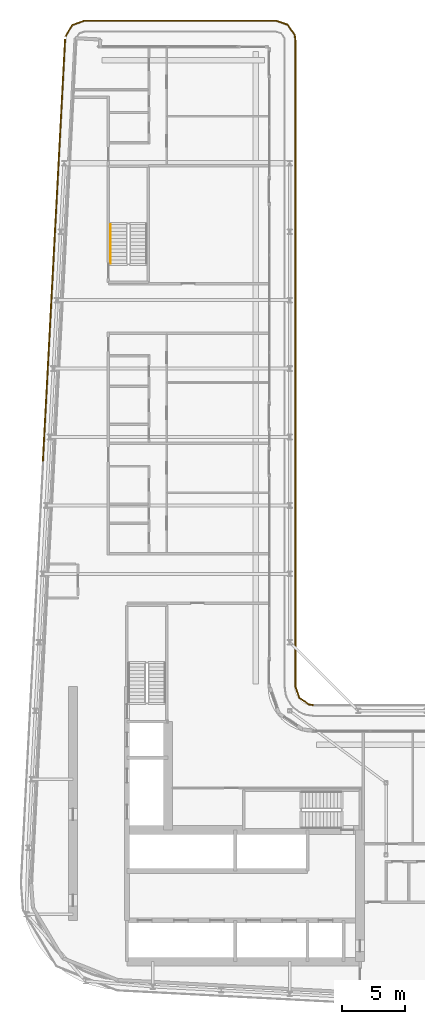
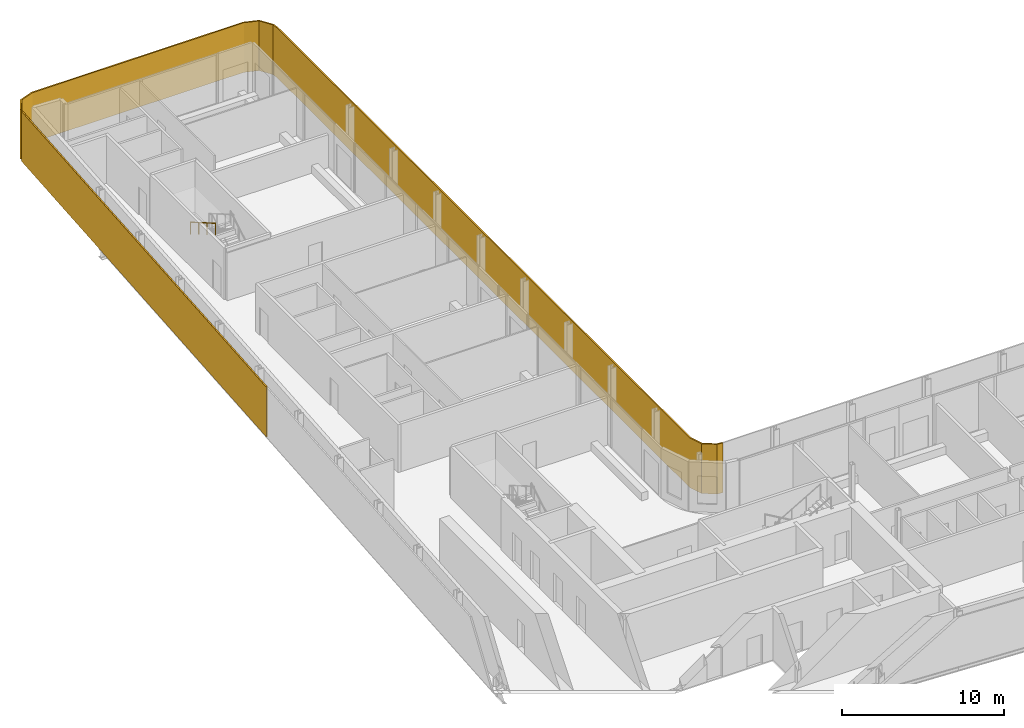
# One storey, part 20 of 22: 2 shading devices, 1 railing.
"""IFC4 building model written with IfcOpenShell, lengths in metres."""

from ifc_helpers import new_model, si_unit, direction, frame, origin, origin_2d, place, context, subcontext, project, spatial, polyline, rectangle, circle, outline, extrude, material, layer, layer_set, type_object, element, save


model = new_model("IFC4")

# Units and contexts
model_context = context("Model", 3, precision=1e-05, world=origin(), true_north=direction((0.0, 1.0)))
body_context = subcontext(model_context, "Body", "Model", "MODEL_VIEW")
ifc_project = project(units=[si_unit("LENGTHUNIT", "METRE"), si_unit("AREAUNIT", "SQUARE_METRE"), si_unit("VOLUMEUNIT", "CUBIC_METRE"), si_unit("PLANEANGLEUNIT", "RADIAN"), si_unit("MASSUNIT", "GRAM", prefix="KILO")], contexts=[model_context])

# Site, building, storey
site_placement = place(None, origin())
site = spatial("IfcSite", under=ifc_project, at=site_placement, CompositionType="ELEMENT")
building_placement = place(site_placement, origin())
building = spatial("IfcBuilding", under=site, at=building_placement, Name="Kheshtan School and Residences Tower", CompositionType="ELEMENT")
storey_placement = place(building_placement, frame((0.0, 0.0, 251.300048828125)))
storey = spatial("IfcBuildingStorey", under=building, at=storey_placement, Name="L59", CompositionType="ELEMENT", Elevation=251.300048828125)

# Shading devices
ifc_material_1 = material(Name="Terracotta baguette, extruded ceramic", Category="masonry")
ifc_layer_1 = layer(ifc_material_1, 0.10009765625)
ifc_layer_set_1 = layer_set([ifc_layer_1], Name="Ledge screen, terracotta baguettes")
shading_device_type_1 = type_object("IfcShadingDeviceType", Name="Ledge screen, terracotta baguettes", PredefinedType="USERDEFINED", material=ifc_layer_set_1)
shading_device_1_placement = place(storey_placement, frame((28.9990234375, 81.93408203125, 0.0), z_axis=(0.0, 0.0, 1.0), x_axis=(0.052562536748, 0.998617634398, 0.0)))
element("IfcShadingDevice", 1, at=shading_device_1_placement, inside=storey, type_object=shading_device_type_1, Name="Screen L59 5", ObjectType="BAGUETTE", PredefinedType="USERDEFINED", context=body_context, shape_type="SweptSolid", body=[
    extrude(rectangle(XDim=33.341064453125, YDim=0.10009765625, at=origin_2d()), origin(), (0.0, 0.0, 1.0), 3.75),
])
ifc_material_2 = material(Name="Terracotta lattice, extruded ceramic", Category="masonry")
ifc_layer_2 = layer(ifc_material_2, 0.10009765625)
ifc_layer_set_2 = layer_set([ifc_layer_2], Name="Loggia screen, terracotta lattice")
shading_device_type_2 = type_object("IfcShadingDeviceType", Name="Loggia screen, terracotta lattice", PredefinedType="USERDEFINED", material=ifc_layer_set_2)
shading_device_2_placement = place(storey_placement, origin())
element("IfcShadingDevice", 2, at=shading_device_2_placement, inside=storey, type_object=shading_device_type_2, Name="Screen L59 1", ObjectType="SCREEN", PredefinedType="USERDEFINED", context=body_context, shape_type="SweptSolid", body=[
    extrude(outline(polyline([(29.949951171875, 98.783935546875), (30.468017578125, 99.656982421875), (31.423095703125, 100.0), (46.5, 100.0), (47.4130859375, 99.68994140625), (47.948974609375, 98.887939453125), (48.0, 98.5), (48.0, 47.5), (48.31005859375, 46.5869140625), (49.112060546875, 46.051025390625), (49.5, 46.0), (49.512939453125, 46.09912109375), (49.14794921875, 46.14697265625), (48.39404296875, 46.65087890625), (48.10009765625, 47.51708984375), (48.10009765625, 98.507080078125), (48.044921875, 98.924072265625), (47.47705078125, 99.77392578125), (46.51708984375, 100.10009765625), (31.406005859375, 100.10009765625), (30.39990234375, 99.739013671875), (29.864013671875, 98.8349609375), (29.949951171875, 98.783935546875)])), origin(), (0.0, 0.0, 1.0), 3.75),
])

# Railing
ifc_material_3 = material(Name="Stainless steel handrail", Category="steel")
railing_type = type_object("IfcRailingType", Name="Stair handrail 900", PredefinedType="HANDRAIL", material=ifc_material_3)
railing_placement = place(storey_placement, frame((33.449951171875, 83.97998046875, 2.112548828125)))
element("IfcRailing", 3, at=railing_placement, inside=storey, type_object=railing_type, Name="L59 ST3 stair handrail 2", PredefinedType="HANDRAIL", context=body_context, shape_type="SweptSolid", body=[
    extrude(circle(Radius=0.02392578125, at=origin_2d()), frame((0.0, 0.0, 0.8759765625), z_axis=(0.0, -0.864920483161, 0.501908913857), x_axis=(1.0, 0.0, 0.0)), (0.0, 0.0, 1.0), 3.56103515625),
    extrude(circle(Radius=0.02099609375, at=origin_2d()), origin(), (0.0, 0.0, 1.0), 0.851806640625),
    extrude(circle(Radius=0.02099609375, at=origin_2d()), frame((0.0, -1.026611328125, 0.595703125)), (0.0, 0.0, 1.0), 0.851806640625),
    extrude(circle(Radius=0.02099609375, at=origin_2d()), frame((0.0, -2.053466796875, 1.191650390625)), (0.0, 0.0, 1.0), 0.851806640625),
    extrude(circle(Radius=0.02099609375, at=origin_2d()), frame((0.0, -3.080078125, 1.787353515625)), (0.0, 0.0, 1.0), 0.851806640625),
])

save(model, "model.ifc")
